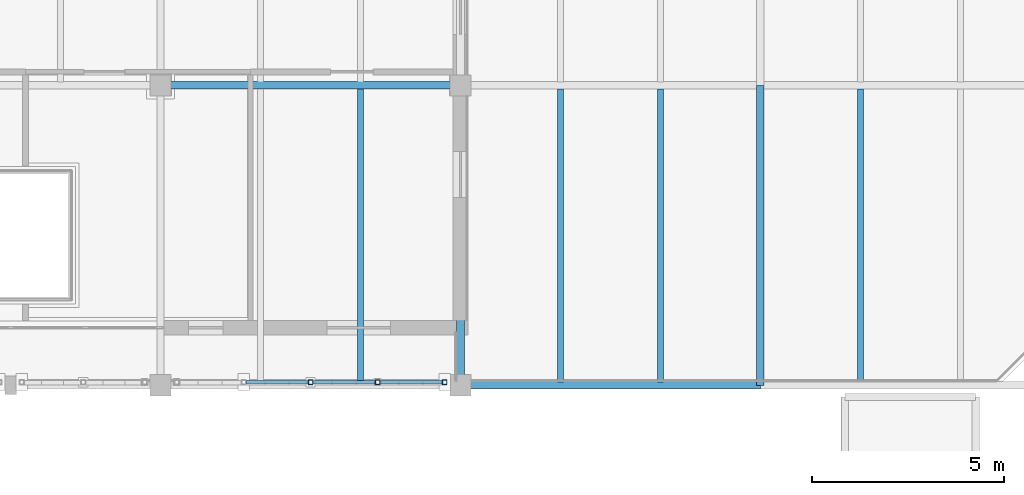
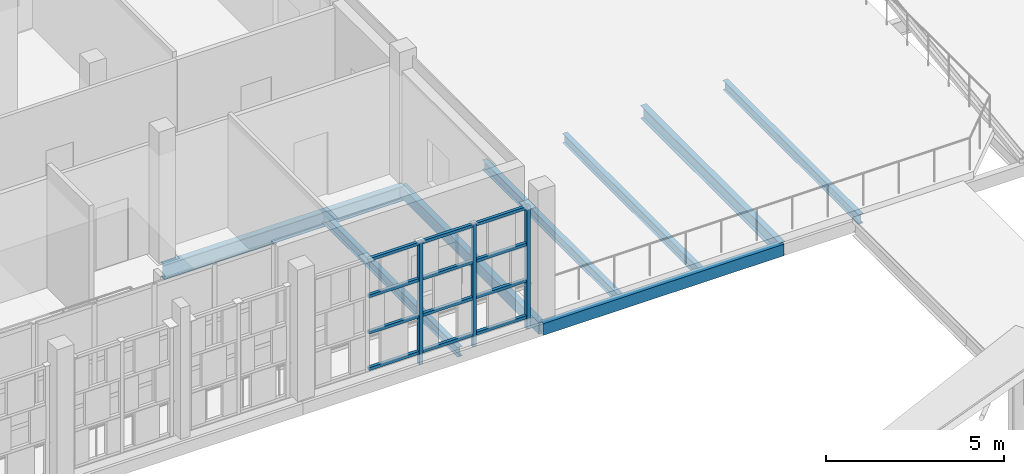
# One storey, part 61 of 119: 15 members, 8 beams.
"""IFC4 building model written with IfcOpenShell, lengths in metres."""

import ifcopenshell
import ifcopenshell.guid

model = None  # the IFC model being written
_history = None  # IfcOwnerHistory: only IFC2X3 demands one
_inside = {}  # id of a spatial element -> (the spatial element, [elements in it])
_under = {}  # id of a project, library or spatial element -> (it, [spatial elements below it])
_declared = {}  # id of a project -> (the project, [libraries it declares])
_typed = {}  # id of a type object -> (the type object, [elements of that type])
_made_of = {}  # id of a material, layer set ... -> (it, [elements and type objects made of it])


def new_model(schema):
    """Start an empty IFC model of exactly this schema.

    Asked for "IFC4X3", IfcOpenShell would pick the latest addendum, in which some entities
    have other attributes; the version numbers below select the first issue.
    IFC2X3 requires an IfcOwnerHistory on every rooted entity: one is made here for all.
    """
    global model, _history
    if schema == "IFC4X3":
        model = ifcopenshell.file(schema_version=(4, 3, 0, 0))
    else:
        model = ifcopenshell.file(schema=schema)
    _inside.clear()
    _under.clear()
    _declared.clear()
    _typed.clear()
    _made_of.clear()
    _history = None
    if model.schema == "IFC2X3":
        org = make("IfcOrganization", Name="unknown")
        user = make(
            "IfcPersonAndOrganization",
            ThePerson=make("IfcPerson", FamilyName="unknown"),
            TheOrganization=org,
        )
        app = make(
            "IfcApplication",
            ApplicationDeveloper=org,
            Version="unknown",
            ApplicationFullName="unknown",
            ApplicationIdentifier="unknown",
        )
        _history = make(
            "IfcOwnerHistory",
            OwningUser=user,
            OwningApplication=app,
            ChangeAction="ADDED",
            CreationDate=0,
        )
    return model


def make(cls, **values):
    """One entity of the class cls with the attributes given. An attribute that is None is left unset."""
    return model.create_entity(
        cls, **{name: value for name, value in values.items() if value is not None}
    )


def rooted(cls, **values):
    """An entity with a GlobalId (a new one), such as an element, a storey or a relation."""
    return make(cls, GlobalId=ifcopenshell.guid.new(), OwnerHistory=_history, **values)


def si_unit(unit_type, name, prefix=None):
    """IfcSIUnit, for example si_unit("LENGTHUNIT", "METRE", prefix="MILLI")."""
    return make("IfcSIUnit", UnitType=unit_type, Prefix=prefix, Name=name)


def assignment(units):
    """IfcUnitAssignment: the units of a project."""
    return None if units is None else make("IfcUnitAssignment", Units=units)


def point(xyz):
    """IfcCartesianPoint."""
    return None if xyz is None else make("IfcCartesianPoint", Coordinates=xyz)


def direction(xyz):
    """IfcDirection."""
    return None if xyz is None else make("IfcDirection", DirectionRatios=xyz)


def frame(location, z_axis=None, x_axis=None):
    """IfcAxis2Placement3D, a coordinate frame: its origin and axes. An axis left out is left unset."""
    return make(
        "IfcAxis2Placement3D",
        Location=point(location),
        Axis=direction(z_axis),
        RefDirection=direction(x_axis),
    )


def frame_2d(location, x_axis=None):
    """IfcAxis2Placement2D, a coordinate frame in the plane: its origin and x axis."""
    return make(
        "IfcAxis2Placement2D", Location=point(location), RefDirection=direction(x_axis)
    )


def origin():
    """The frame at (0, 0, 0) with its axes left unset."""
    return frame((0.0, 0.0, 0.0))


def origin_2d():
    """The frame at (0, 0) in the plane with its x axis left unset."""
    return frame_2d((0.0, 0.0))


def place(relative_to, where):
    """IfcLocalPlacement: puts the frame where relative to a parent placement (None: the world)."""
    return make(
        "IfcLocalPlacement", PlacementRelTo=relative_to, RelativePlacement=where
    )


def context(
    kind, dimensions, precision=None, world=None, true_north=None, identifier=None
):
    """IfcGeometricRepresentationContext, for example the 3D "Model" context."""
    return make(
        "IfcGeometricRepresentationContext",
        ContextIdentifier=identifier,
        ContextType=kind,
        CoordinateSpaceDimension=dimensions,
        Precision=precision,
        WorldCoordinateSystem=world,
        TrueNorth=true_north,
    )


def subcontext(parent, identifier, kind, view, scale=None):
    """IfcGeometricRepresentationSubContext, for example "Body" below "Model"."""
    return make(
        "IfcGeometricRepresentationSubContext",
        ContextIdentifier=identifier,
        ContextType=kind,
        ParentContext=parent,
        TargetScale=scale,
        TargetView=view,
    )


def project(units=None, contexts=None):
    """IfcProject with its units and contexts."""
    return rooted(
        "IfcProject",
        Name="project",
        RepresentationContexts=contexts,
        UnitsInContext=assignment(units),
    )


def spatial(cls, under=None, at=None, **own):
    """A site, building, storey or space (cls), placed at a placement, below another one or the project."""
    s = rooted(cls, ObjectPlacement=at, **own)
    if under is not None:
        _under.setdefault(under.id(), (under, []))[1].append(s)
    return s


def profile(cls, at=None, kind="AREA", **sizes):
    """A parametric profile (cls). Its sizes go by their IFC names, for example OverallWidth=200.0."""
    return make(cls, ProfileType=kind, Position=at, **sizes)


def hollow_rectangle(**sizes):
    """IfcRectangleHollowProfileDef."""
    return profile("IfcRectangleHollowProfileDef", **sizes)


def i_section(**sizes):
    """IfcIShapeProfileDef."""
    return profile("IfcIShapeProfileDef", **sizes)


def extrude(swept, where, along, depth):
    """IfcExtrudedAreaSolid: the profile swept, set in the frame where, extruded along a direction by depth."""
    return make(
        "IfcExtrudedAreaSolid",
        SweptArea=swept,
        Position=where,
        ExtrudedDirection=direction(along),
        Depth=depth,
    )


def shape(context_of_items, identifier, shape_type, items):
    """IfcShapeRepresentation: the items that make up one representation, for example the "Body"."""
    return make(
        "IfcShapeRepresentation",
        ContextOfItems=context_of_items,
        RepresentationIdentifier=identifier,
        RepresentationType=shape_type,
        Items=items,
    )


def material(Name=None, Category=None):
    """IfcMaterial."""
    return make("IfcMaterial", Name=Name, Category=Category)


def material_profile(
    of_material, cross_section, Name=None, Category=None, Priority=None
):
    """IfcMaterialProfile: a cross section and its material."""
    return make(
        "IfcMaterialProfile",
        Name=Name,
        Material=of_material,
        Profile=cross_section,
        Priority=Priority,
        Category=Category,
    )


def profile_set(profiles, Name=None, composite=None):
    """IfcMaterialProfileSet."""
    return make(
        "IfcMaterialProfileSet",
        Name=Name,
        MaterialProfiles=profiles,
        CompositeProfile=composite,
    )


def made_of(thing, what):
    """Note that an element or type object is made of a material, layer set ...; save() writes the relation."""
    if what is not None:
        _made_of.setdefault(what.id(), (what, []))[1].append(thing)
    return thing


def type_object(cls, material=None, **own):
    """A type object (cls), such as IfcWallType, which elements share."""
    return made_of(rooted(cls, **own), material)


def element(
    cls,
    number,
    at=None,
    inside=None,
    cuts=None,
    type_object=None,
    material=None,
    context=None,
    identifier="Body",
    shape_type=None,
    held_by="IfcProductDefinitionShape",
    body=None,
    shapes=None,
    **own,
):
    """One element of the class cls, such as IfcWall. Its Tag is "e" and its number.

    at: its placement. inside: the storey or other place that contains it. cuts: it is an
    opening in that element (IfcRelVoidsElement). A single representation is given by context,
    identifier, shape_type and body (its items); several are given by shapes. held_by: the class
    of the entity that holds the representations. save() writes the other relations.
    """
    e = rooted(cls, Tag="e%d" % number, ObjectPlacement=at, **own)
    if body is not None:
        shapes = [shape(context, identifier, shape_type, body)]
    if shapes is not None:
        e.Representation = make(held_by, Representations=shapes)
    if inside is not None:
        _inside.setdefault(inside.id(), (inside, []))[1].append(e)
    if cuts is not None:
        rooted(
            "IfcRelVoidsElement", RelatingBuildingElement=cuts, RelatedOpeningElement=e
        )
    if type_object is not None:
        _typed.setdefault(type_object.id(), (type_object, []))[1].append(e)
    return made_of(e, material)


def aggregate(whole, parts):
    """IfcRelAggregates: a whole, such as a stair, and the parts it consists of."""
    return rooted("IfcRelAggregates", RelatingObject=whole, RelatedObjects=parts)


def save(model, path):
    """Write the relations noted so far, then the file.

    IfcRelAggregates (storeys below a building ...), IfcRelContainedInSpatialStructure (elements
    in a storey), IfcRelDefinesByType, IfcRelAssociatesMaterial and IfcRelDeclares: one each for
    every whole, place, type object, material and project.
    """
    for whole, parts in _under.values():
        aggregate(whole, parts)
    for where, things in _inside.values():
        rooted(
            "IfcRelContainedInSpatialStructure",
            RelatedElements=things,
            RelatingStructure=where,
        )
    for kind, things in _typed.values():
        rooted("IfcRelDefinesByType", RelatedObjects=things, RelatingType=kind)
    for what, things in _made_of.values():
        rooted("IfcRelAssociatesMaterial", RelatedObjects=things, RelatingMaterial=what)
    for by, libraries in _declared.values():
        rooted("IfcRelDeclares", RelatingContext=by, RelatedDefinitions=libraries)
    model.write(path)


model = new_model("IFC4")

# Units and contexts
model_context = context("Model", 3, precision=1e-05, world=origin(), true_north=direction((0.0, 1.0)))
body_context = subcontext(model_context, "Body", "Model", "MODEL_VIEW")
ifc_project = project(units=[si_unit("LENGTHUNIT", "METRE"), si_unit("AREAUNIT", "SQUARE_METRE"), si_unit("VOLUMEUNIT", "CUBIC_METRE"), si_unit("PLANEANGLEUNIT", "RADIAN"), si_unit("MASSUNIT", "GRAM", prefix="KILO")], contexts=[model_context])

# Site, building, storey
site_placement = place(None, origin())
site = spatial("IfcSite", under=ifc_project, at=site_placement, CompositionType="ELEMENT")
building_placement = place(site_placement, origin())
building = spatial("IfcBuilding", under=site, at=building_placement, Name="Celorna Specialist Clinic", CompositionType="ELEMENT")
storey_placement = place(building_placement, frame((0.0, 0.0, 9.60009765625)))
storey = spatial("IfcBuildingStorey", under=building, at=storey_placement, Name="L02", CompositionType="ELEMENT", Elevation=9.60009765625)

# Beams
ifc_material = material(Name="Steel S355", Category="steel")
ifc_material_profile_1 = material_profile(ifc_material, i_section(OverallWidth=0.199951171875, OverallDepth=0.5, WebThickness=0.01025390625, FlangeThickness=0.01611328125, at=origin_2d()), Name="IPE 500")
ifc_profile_set_1 = profile_set([ifc_material_profile_1], Name="Steel S355")
beam_type_1 = type_object("IfcBeamType", Name="BM-08", PredefinedType="BEAM", material=ifc_profile_set_1)
beam_1_placement = place(storey_placement, frame((124.800048828125, 104.300048828125, -0.510009765625), z_axis=(1.0, 0.0, 0.0), x_axis=(0.0, 1.0, 0.0)))
element("IfcBeam", 1, at=beam_1_placement, inside=storey, type_object=beam_type_1, Name="Primary girder BM-08 #1087", PredefinedType="BEAM", context=body_context, shape_type="SweptSolid", body=[
    extrude(i_section(OverallWidth=0.199951171875, OverallDepth=0.5, WebThickness=0.01025390625, FlangeThickness=0.01611328125, at=origin_2d()), origin(), (0.0, 0.0, 1.0), 7.800048828125),
])
ifc_material_profile_2 = material_profile(ifc_material, i_section(OverallWidth=0.18994140625, OverallDepth=0.449951171875, WebThickness=0.009521484375, FlangeThickness=0.0146484375, at=origin_2d()), Name="IPE 450")
ifc_profile_set_2 = profile_set([ifc_material_profile_2], Name="Steel S355")
beam_type_2 = type_object("IfcBeamType", Name="BM-09", PredefinedType="BEAM", material=ifc_profile_set_2)
beam_2_placement = place(storey_placement, frame((140.39990234375, 96.5, -0.485107421875), z_axis=(0.0, 1.0, 0.0), x_axis=(-1.0, 0.0, 0.0)))
element("IfcBeam", 2, at=beam_2_placement, inside=storey, type_object=beam_type_2, Name="Transverse girder BM-09 #2267", PredefinedType="BEAM", context=body_context, shape_type="SweptSolid", body=[
    extrude(i_section(OverallWidth=0.18994140625, OverallDepth=0.449951171875, WebThickness=0.009521484375, FlangeThickness=0.0146484375, at=origin_2d()), origin(), (0.0, 0.0, 1.0), 7.800048828125),
])
ifc_material_profile_3 = material_profile(ifc_material, i_section(OverallWidth=0.159912109375, OverallDepth=0.330078125, WebThickness=0.007568359375, FlangeThickness=0.011474609375, at=origin_2d()), Name="IPE 330")
ifc_profile_set_3 = profile_set([ifc_material_profile_3], Name="Steel S355")
beam_type_3 = type_object("IfcBeamType", Name="BM-12", PredefinedType="JOIST", material=ifc_profile_set_3)
for number, where, z_axis, x_axis, name in (
    (3, (130.0, 96.587890625, -0.425048828125), (0.0, 1.0, 0.0), (-1.0, 0.0, 0.0), "Secondary floor joist BM-12 #1196"),
    (4, (135.199951171875, 96.587890625, -0.425048828125), (0.0, 1.0, 0.0), (-1.0, 0.0, 0.0), "Secondary floor joist BM-12 #2282"),
    (5, (137.800048828125, 96.587890625, -0.425048828125), (0.0, 1.0, 0.0), (-1.0, 0.0, 0.0), "Secondary floor joist BM-12 #2283"),
    (6, (143.0, 96.587890625, -0.425048828125), (0.0, 1.0, 0.0), (-1.0, 0.0, 0.0), "Secondary floor joist BM-12 #2288"),
):
    element("IfcBeam", number, at=place(storey_placement, frame(where, z_axis=z_axis, x_axis=x_axis)), inside=storey, type_object=beam_type_3, Name=name, PredefinedType="JOIST", context=body_context, shape_type="SweptSolid", body=[
        extrude(i_section(OverallWidth=0.159912109375, OverallDepth=0.330078125, WebThickness=0.007568359375, FlangeThickness=0.011474609375, at=origin_2d()), origin(), (0.0, 0.0, 1.0), 7.6240234375),
    ])
ifc_material_profile_4 = material_profile(ifc_material, hollow_rectangle(XDim=0.199951171875, YDim=0.39990234375, WallThickness=0.011962890625, at=origin_2d()), Name="RHS 200x400x12")
ifc_profile_set_4 = profile_set([ifc_material_profile_4], Name="Steel S355")
beam_type_4 = type_object("IfcBeamType", Name="BM-15", PredefinedType="SPANDREL", material=ifc_profile_set_4)
beam_3_placement = place(storey_placement, frame((132.60009765625, 96.5, -0.460205078125), z_axis=(0.0, 1.0, 0.0), x_axis=(-1.0, 0.0, 0.0)))
element("IfcBeam", 7, at=beam_3_placement, inside=storey, type_object=beam_type_4, Name="Spandrel beam BM-15 #1142", PredefinedType="SPANDREL", context=body_context, shape_type="SweptSolid", body=[
    extrude(hollow_rectangle(XDim=0.199951171875, YDim=0.39990234375, WallThickness=0.011962890625, at=origin_2d()), origin(), (0.0, 0.0, 1.0), 7.800048828125),
])
beam_4_placement = place(storey_placement, frame((132.60009765625, 96.5, -0.460205078125), z_axis=(1.0, 0.0, 0.0), x_axis=(0.0, 1.0, 0.0)))
element("IfcBeam", 8, at=beam_4_placement, inside=storey, type_object=beam_type_4, Name="Spandrel beam BM-15 #2247", PredefinedType="SPANDREL", context=body_context, shape_type="SweptSolid", body=[
    extrude(hollow_rectangle(XDim=0.199951171875, YDim=0.39990234375, WallThickness=0.011962890625, at=origin_2d()), origin(), (0.0, 0.0, 1.0), 7.7998046875),
])

# Members
ifc_material_profile_5 = material_profile(ifc_material, hollow_rectangle(XDim=0.1201171875, YDim=0.1201171875, WallThickness=0.008056640625, at=origin_2d()), Name="SHS 120x120x8")
ifc_profile_set_5 = profile_set([ifc_material_profile_5], Name="Steel S355")
member_type_1 = type_object("IfcMemberType", Name="MB-11", PredefinedType="STUD", material=ifc_profile_set_5)
for number, where, z_axis, x_axis, name in (
    (9, (128.699951171875, 96.580078125, -0.360107421875), (0.0, 0.0, 1.0), (1.0, 0.0, 0.0), "Perforated screen steel post #1211"),
    (10, (130.4423828125, 96.580078125, -0.360107421875), (0.0, 0.0, 1.0), (1.0, 0.0, 0.0), "Perforated screen steel post #1212"),
    (11, (132.18505859375, 96.580078125, -0.360107421875), (0.0, 0.0, 1.0), (1.0, 0.0, 0.0), "Perforated screen steel post #1213"),
):
    element("IfcMember", number, at=place(storey_placement, frame(where, z_axis=z_axis, x_axis=x_axis)), inside=storey, type_object=member_type_1, Name=name, PredefinedType="STUD", context=body_context, shape_type="SweptSolid", body=[
        extrude(hollow_rectangle(XDim=0.1201171875, YDim=0.1201171875, WallThickness=0.008056640625, at=origin_2d()), origin(), (0.0, 0.0, 1.0), 4.199951171875),
    ])
ifc_material_profile_6 = material_profile(ifc_material, hollow_rectangle(XDim=0.10009765625, YDim=0.10009765625, WallThickness=0.006103515625, at=origin_2d()), Name="SHS 100x100x6")
ifc_profile_set_6 = profile_set([ifc_material_profile_6], Name="Steel S355")
member_type_2 = type_object("IfcMemberType", Name="MB-12", PredefinedType="STUD", material=ifc_profile_set_6)
for number, where, z_axis, x_axis, name in (
    (12, (127.017578125, 96.580078125, 0.0498046875), (1.0, 0.0, 0.0), (0.0, 1.0, 0.0), "Perforated screen rail #1218"),
    (13, (127.017578125, 96.580078125, 1.296630859375), (1.0, 0.0, 0.0), (0.0, 1.0, 0.0), "Perforated screen rail #1219"),
    (14, (127.017578125, 96.580078125, 2.543212890625), (1.0, 0.0, 0.0), (0.0, 1.0, 0.0), "Perforated screen rail #1220"),
    (15, (127.017578125, 96.580078125, 3.789794921875), (1.0, 0.0, 0.0), (0.0, 1.0, 0.0), "Perforated screen rail #1221"),
):
    element("IfcMember", number, at=place(storey_placement, frame(where, z_axis=z_axis, x_axis=x_axis)), inside=storey, type_object=member_type_2, Name=name, PredefinedType="STUD", context=body_context, shape_type="SweptSolid", body=[
        extrude(hollow_rectangle(XDim=0.10009765625, YDim=0.10009765625, WallThickness=0.006103515625, at=origin_2d()), origin(), (0.0, 0.0, 1.0), 1.622314453125),
    ])
for number, where, z_axis, x_axis, name in (
    (16, (128.760009765625, 96.580078125, 0.0498046875), (1.0, 0.0, 0.0), (0.0, 1.0, 0.0), "Perforated screen rail #1222"),
    (17, (128.760009765625, 96.580078125, 1.296630859375), (1.0, 0.0, 0.0), (0.0, 1.0, 0.0), "Perforated screen rail #1223"),
    (18, (128.760009765625, 96.580078125, 2.543212890625), (1.0, 0.0, 0.0), (0.0, 1.0, 0.0), "Perforated screen rail #1224"),
    (19, (128.760009765625, 96.580078125, 3.789794921875), (1.0, 0.0, 0.0), (0.0, 1.0, 0.0), "Perforated screen rail #1225"),
    (20, (130.50244140625, 96.580078125, 0.0498046875), (1.0, 0.0, 0.0), (0.0, 1.0, 0.0), "Perforated screen rail #1226"),
    (21, (130.50244140625, 96.580078125, 1.296630859375), (1.0, 0.0, 0.0), (0.0, 1.0, 0.0), "Perforated screen rail #1227"),
    (22, (130.50244140625, 96.580078125, 2.543212890625), (1.0, 0.0, 0.0), (0.0, 1.0, 0.0), "Perforated screen rail #1228"),
    (23, (130.50244140625, 96.580078125, 3.789794921875), (1.0, 0.0, 0.0), (0.0, 1.0, 0.0), "Perforated screen rail #1229"),
):
    element("IfcMember", number, at=place(storey_placement, frame(where, z_axis=z_axis, x_axis=x_axis)), inside=storey, type_object=member_type_2, Name=name, PredefinedType="STUD", context=body_context, shape_type="SweptSolid", body=[
        extrude(hollow_rectangle(XDim=0.10009765625, YDim=0.10009765625, WallThickness=0.006103515625, at=origin_2d()), origin(), (0.0, 0.0, 1.0), 1.62255859375),
    ])

save(model, "model.ifc")
